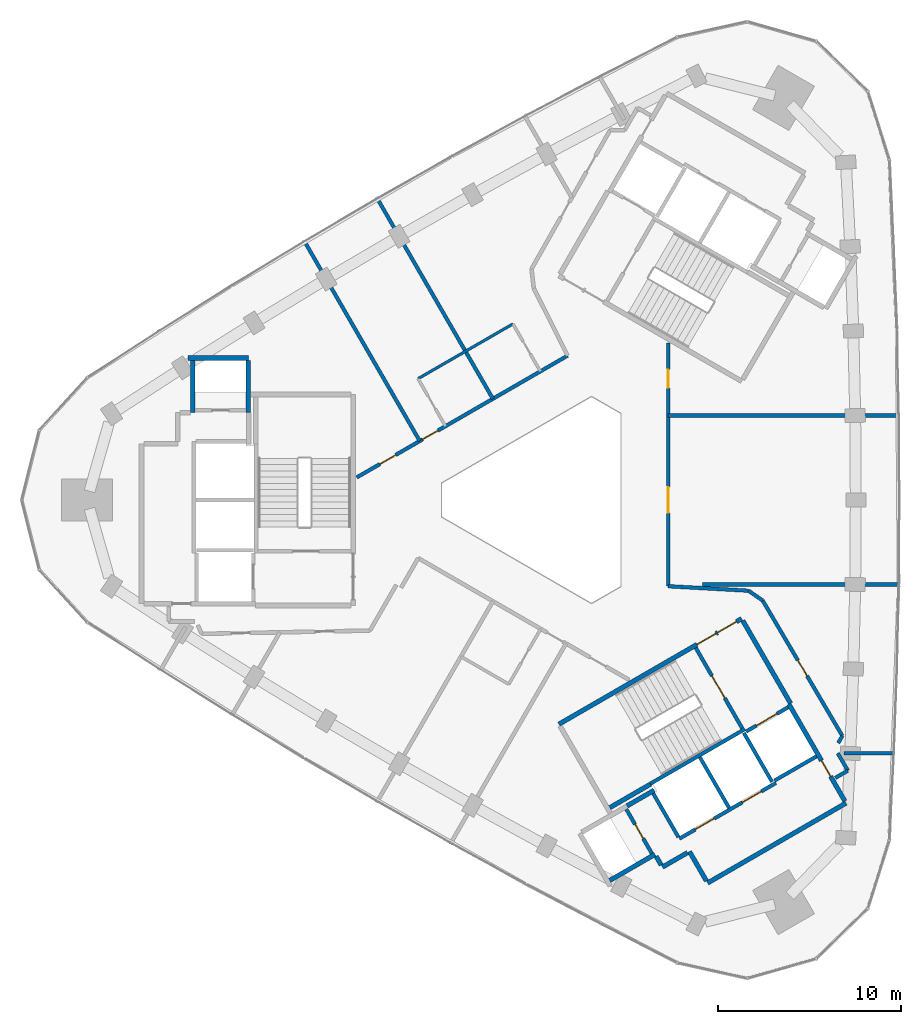
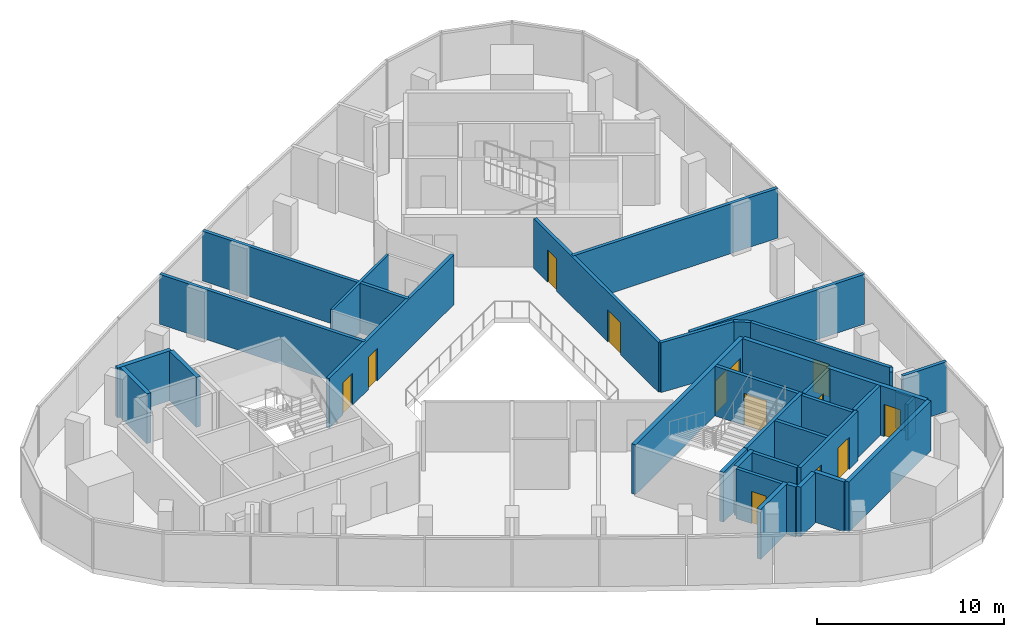
# One storey, part 8 of 11: 36 walls, 13 doors, 13 openings.
"""IFC4 building model written with IfcOpenShell, lengths in metres."""

from ifc_helpers import new_model, si_unit, direction, frame, frame_2d, origin, place, context, subcontext, project, spatial, rectangle, extrude, material, layer, layer_set, type_object, element, fill, save


model = new_model("IFC4")

# Units and contexts
model_context = context("Model", 3, precision=1e-05, world=origin(), true_north=direction((0.0, 1.0)))
body_context = subcontext(model_context, "Body", "Model", "MODEL_VIEW")
ifc_project = project(units=[si_unit("LENGTHUNIT", "METRE"), si_unit("AREAUNIT", "SQUARE_METRE"), si_unit("VOLUMEUNIT", "CUBIC_METRE"), si_unit("PLANEANGLEUNIT", "RADIAN"), si_unit("MASSUNIT", "GRAM", prefix="KILO")], contexts=[model_context])

# Site, building, storey
site_placement = place(None, origin())
site = spatial("IfcSite", under=ifc_project, at=site_placement, CompositionType="ELEMENT")
building_placement = place(site_placement, origin())
building = spatial("IfcBuilding", under=site, at=building_placement, Name="Tamra Quay Hotel Tower", CompositionType="ELEMENT")
storey_placement = place(building_placement, frame((0.0, 0.0, 246.60009765625)))
storey = spatial("IfcBuildingStorey", under=building, at=storey_placement, Name="L62", CompositionType="ELEMENT", Elevation=246.60009765625)

# Wall
ifc_material_1 = material(Name="Concrete M70", Category="concrete")
ifc_layer_1 = layer(ifc_material_1, 0.199951171875)
ifc_layer_set_1 = layer_set([ifc_layer_1], Name="Concrete M70 core wall 200")
wall_type_1 = type_object("IfcWallType", Name="Concrete M70 core wall 200", PredefinedType="SHEAR", material=ifc_layer_set_1)
wall_1_placement = place(storey_placement, frame((5.4189453125, -15.533935546875, 0.0), z_axis=(0.0, 0.0, 1.0), x_axis=(0.866029065029, 0.499993658486, 0.0)))
element("IfcWall", 1, at=wall_1_placement, inside=storey, type_object=wall_type_1, Name="CW2", PredefinedType="SHEAR", context=body_context, shape_type="SweptSolid", body=[
    extrude(rectangle(XDim=5.97412109375, YDim=0.199951171875, at=frame_2d((2.987060546875, 0.0))), origin(), (0.0, 0.0, 1.0), 3.25),
])

# Wall, openings, doors
wall_2_placement = place(storey_placement, frame((7.009765625, -18.54150390625, 0.0), z_axis=(0.0, 0.0, 1.0), x_axis=(0.866030299012, 0.499991521122, 0.0)))
wall_2 = element("IfcWall", 2, at=wall_2_placement, inside=storey, type_object=wall_type_1, Name="CW2", PredefinedType="SHEAR", context=body_context, shape_type="SweptSolid", body=[
    extrude(rectangle(XDim=6.10009765625, YDim=0.199951171875, at=frame_2d((3.050048828125, 0.0))), origin(), (0.0, 0.0, 1.0), 3.25),
])
opening_1_placement = place(wall_2_placement, frame((1.0, 0.0, 0.0)))
opening_1 = element("IfcOpeningElement", 3, at=opening_1_placement, cuts=wall_2, Name="Opening LD", PredefinedType="OPENING", context=body_context, shape_type="SweptSolid", body=[
    extrude(rectangle(XDim=1.199951171875, YDim=2.10009765625, at=frame_2d((0.60009765625, 1.050048828125))), frame((0.0, 0.10986328125, 0.0), z_axis=(0.0, -1.0, 0.0), x_axis=(1.0, 0.0, 0.0)), (0.0, 0.0, 1.0), 0.219970703125),
])
opening_2_placement = place(wall_2_placement, frame((3.982177734375, 0.0, 0.0)))
opening_2 = element("IfcOpeningElement", 4, at=opening_2_placement, cuts=wall_2, Name="Opening LD", PredefinedType="OPENING", context=body_context, shape_type="SweptSolid", body=[
    extrude(rectangle(XDim=1.199951171875, YDim=2.10009765625, at=frame_2d((0.60009765625, 1.050048828125))), frame((0.0, 0.10986328125, 0.0), z_axis=(0.0, -1.0, 0.0), x_axis=(1.0, 0.0, 0.0)), (0.0, 0.0, 1.0), 0.219970703125),
])
ifc_material_2 = material(Name="Landing door LD 1200 double door sliding")
door_type_1 = type_object("IfcDoorType", Name="Landing door LD 1200 double door sliding", OperationType="DOUBLE_DOOR_SLIDING", PredefinedType="DOOR", material=ifc_material_2)
door_1_placement = place(opening_1_placement, origin())
door_1 = element("IfcDoor", 5, at=door_1_placement, inside=storey, type_object=door_type_1, Name="LD", OperationType="DOUBLE_DOOR_SLIDING", OverallHeight=2.10009765625, OverallWidth=1.199951171875, PredefinedType="DOOR", context=body_context, shape_type="SweptSolid", body=[
    extrude(rectangle(XDim=1.199951171875, YDim=2.10009765625, at=frame_2d((0.60009765625, 1.050048828125))), frame((0.0, 0.02490234375, 0.0), z_axis=(0.0, -1.0, 0.0), x_axis=(1.0, 0.0, 0.0)), (0.0, 0.0, 1.0), 0.050048828125),
])
fill(opening_1, door_1)
door_2_placement = place(opening_2_placement, origin())
door_2 = element("IfcDoor", 6, at=door_2_placement, inside=storey, type_object=door_type_1, Name="LD", OperationType="DOUBLE_DOOR_SLIDING", OverallHeight=2.10009765625, OverallWidth=1.199951171875, PredefinedType="DOOR", context=body_context, shape_type="SweptSolid", body=[
    extrude(rectangle(XDim=1.199951171875, YDim=2.10009765625, at=frame_2d((0.60009765625, 1.050048828125))), frame((0.0, 0.02490234375, 0.0), z_axis=(0.0, -1.0, 0.0), x_axis=(1.0, 0.0, 0.0)), (0.0, 0.0, 1.0), 0.050048828125),
])
fill(opening_2, door_2)

# Wall, opening, door
wall_3_placement = place(storey_placement, frame((7.906494140625, -8.094482421875, 0.0), z_axis=(0.0, 0.0, 1.0), x_axis=(0.500027839223, -0.866009330205, 0.0)))
wall_3 = element("IfcWall", 7, at=wall_3_placement, inside=storey, type_object=wall_type_1, Name="CW2", PredefinedType="SHEAR", context=body_context, shape_type="SweptSolid", body=[
    extrude(rectangle(XDim=5.097900390625, YDim=0.199951171875, at=frame_2d((2.548828125, 0.0))), origin(), (0.0, 0.0, 1.0), 3.25),
])
opening_3_placement = place(wall_3_placement, frame((1.77392578125, 0.0, 0.0)))
opening_3 = element("IfcOpeningElement", 8, at=opening_3_placement, cuts=wall_3, Name="Opening FD2", PredefinedType="OPENING", context=body_context, shape_type="SweptSolid", body=[
    extrude(rectangle(XDim=1.39990234375, YDim=2.10009765625, at=frame_2d((0.699951171875, 1.050048828125))), frame((0.0, 0.10986328125, 0.0), z_axis=(0.0, -1.0, 0.0), x_axis=(1.0, 0.0, 0.0)), (0.0, 0.0, 1.0), 0.219970703125),
])
ifc_material_3 = material(Name="Core door FD2 1400x2100 RH")
door_type_2 = type_object("IfcDoorType", Name="Core door FD2 1400x2100 RH", OperationType="NOTDEFINED", PredefinedType="DOOR", material=ifc_material_3)
door_3_placement = place(opening_3_placement, origin())
door_3 = element("IfcDoor", 9, at=door_3_placement, inside=storey, type_object=door_type_2, Name="FD2", OperationType="SINGLE_SWING_RIGHT", OverallHeight=2.10009765625, OverallWidth=1.39990234375, PredefinedType="DOOR", context=body_context, shape_type="SweptSolid", body=[
    extrude(rectangle(XDim=1.39990234375, YDim=2.10009765625, at=frame_2d((0.699951171875, 1.050048828125))), frame((0.0, 0.02490234375, 0.0), z_axis=(0.0, -1.0, 0.0), x_axis=(1.0, 0.0, 0.0)), (0.0, 0.0, 1.0), 0.050048828125),
])
fill(opening_3, door_3)

# Wall
wall_4_placement = place(storey_placement, frame((8.131591796875, -14.084228515625, 0.0), z_axis=(0.0, 0.0, 1.0), x_axis=(0.499997778408, -0.866026686418, 0.0)))
element("IfcWall", 10, at=wall_4_placement, inside=storey, type_object=wall_type_1, Name="CW2", PredefinedType="SHEAR", context=body_context, shape_type="SweptSolid", body=[
    extrude(rectangle(XDim=3.1982421875, YDim=0.199951171875, at=frame_2d((1.59912109375, 0.0))), origin(), (0.0, 0.0, 1.0), 3.25),
])

# Wall, opening, door
wall_5_placement = place(storey_placement, frame((5.50341796875, -19.352294921875, 0.0), z_axis=(0.0, 0.0, 1.0), x_axis=(-0.499986818241, 0.866033014143, 0.0)))
wall_5 = element("IfcWall", 11, at=wall_5_placement, inside=storey, type_object=wall_type_1, Name="CW2", PredefinedType="SHEAR", context=body_context, shape_type="SweptSolid", body=[
    extrude(rectangle(XDim=2.7978515625, YDim=0.199951171875, at=frame_2d((1.39892578125, 0.0))), origin(), (0.0, 0.0, 1.0), 3.25),
])
opening_4_placement = place(wall_5_placement, frame((0.948974609375, 0.0, 0.0)))
opening_4 = element("IfcOpeningElement", 12, at=opening_4_placement, cuts=wall_5, Name="Opening D1", PredefinedType="OPENING", context=body_context, shape_type="SweptSolid", body=[
    extrude(rectangle(XDim=0.89990234375, YDim=2.10009765625, at=frame_2d((0.449951171875, 1.050048828125))), frame((0.0, 0.10986328125, 0.0), z_axis=(0.0, -1.0, 0.0), x_axis=(1.0, 0.0, 0.0)), (0.0, 0.0, 1.0), 0.219970703125),
])
ifc_material_4 = material(Name="Core door D1 900x2100 LH")
door_type_3 = type_object("IfcDoorType", Name="Core door D1 900x2100 LH", OperationType="NOTDEFINED", PredefinedType="DOOR", material=ifc_material_4)
door_4_placement = place(opening_4_placement, origin())
door_4 = element("IfcDoor", 13, at=door_4_placement, inside=storey, type_object=door_type_3, Name="D1", OperationType="SINGLE_SWING_LEFT", OverallHeight=2.10009765625, OverallWidth=0.89990234375, PredefinedType="DOOR", context=body_context, shape_type="SweptSolid", body=[
    extrude(rectangle(XDim=0.89990234375, YDim=2.10009765625, at=frame_2d((0.449951171875, 1.050048828125))), frame((0.0, 0.02490234375, 0.0), z_axis=(0.0, -1.0, 0.0), x_axis=(1.0, 0.0, 0.0)), (0.0, 0.0, 1.0), 0.050048828125),
])
fill(opening_4, door_4)

# Walls
wall_6_placement = place(storey_placement, frame((6.959716796875, -18.455078125, 0.0), z_axis=(0.0, 0.0, 1.0), x_axis=(-0.499926705758, 0.866067716099, 0.0)))
element("IfcWall", 14, at=wall_6_placement, inside=storey, type_object=wall_type_1, Name="CW2", PredefinedType="SHEAR", context=body_context, shape_type="SweptSolid", body=[
    extrude(rectangle(XDim=2.75927734375, YDim=0.199951171875, at=frame_2d((1.379638671875, 0.0))), origin(), (0.0, 0.0, 1.0), 3.25),
])
wall_7_placement = place(storey_placement, frame((12.087646484375, -15.4365234375, 0.0), z_axis=(0.0, 0.0, 1.0), x_axis=(-0.500026960575, 0.86600983753, 0.0)))
element("IfcWall", 15, at=wall_7_placement, inside=storey, type_object=wall_type_1, Name="CW2", PredefinedType="SHEAR", context=body_context, shape_type="SweptSolid", body=[
    extrude(rectangle(XDim=3.099853515625, YDim=0.199951171875, at=frame_2d((1.5498046875, 0.0))), origin(), (0.0, 0.0, 1.0), 3.25),
])

# Wall, opening, door
wall_8_placement = place(storey_placement, frame((10.666015625, -12.677734375, 0.0), z_axis=(0.0, 0.0, 1.0), x_axis=(0.866018407898, 0.500012117035, 0.0)))
wall_8 = element("IfcWall", 16, at=wall_8_placement, inside=storey, type_object=wall_type_1, Name="CW2", PredefinedType="SHEAR", context=body_context, shape_type="SweptSolid", body=[
    extrude(rectangle(XDim=2.65087890625, YDim=0.199951171875, at=frame_2d((1.325439453125, 0.0))), origin(), (0.0, 0.0, 1.0), 3.25),
])
opening_5_placement = place(wall_8_placement, frame((0.65185546875, 0.0, 0.0)))
opening_5 = element("IfcOpeningElement", 17, at=opening_5_placement, cuts=wall_8, Name="Opening LD", PredefinedType="OPENING", context=body_context, shape_type="SweptSolid", body=[
    extrude(rectangle(XDim=1.300048828125, YDim=2.10009765625, at=frame_2d((0.64990234375, 1.050048828125))), frame((0.0, 0.10986328125, 0.0), z_axis=(0.0, -1.0, 0.0), x_axis=(1.0, 0.0, 0.0)), (0.0, 0.0, 1.0), 0.219970703125),
])
ifc_material_5 = material(Name="Landing door LD 1300 sliding to right")
door_type_4 = type_object("IfcDoorType", Name="Landing door LD 1300 sliding to right", OperationType="NOTDEFINED", PredefinedType="DOOR", material=ifc_material_5)
door_5_placement = place(opening_5_placement, origin())
door_5 = element("IfcDoor", 18, at=door_5_placement, inside=storey, type_object=door_type_4, Name="LD", OperationType="SLIDING_TO_RIGHT", OverallHeight=2.10009765625, OverallWidth=1.300048828125, PredefinedType="DOOR", context=body_context, shape_type="SweptSolid", body=[
    extrude(rectangle(XDim=1.300048828125, YDim=2.10009765625, at=frame_2d((0.64990234375, 1.050048828125))), frame((0.0, 0.02490234375, 0.0), z_axis=(0.0, -1.0, 0.0), x_axis=(1.0, 0.0, 0.0)), (0.0, 0.0, 1.0), 0.050048828125),
])
fill(opening_5, door_5)

# Walls
wall_9_placement = place(storey_placement, frame((14.51171875, -14.037109375, 0.0), z_axis=(0.0, 0.0, 1.0), x_axis=(-0.866018407898, -0.500012117035, 0.0)))
element("IfcWall", 19, at=wall_9_placement, inside=storey, type_object=wall_type_1, Name="CW2", PredefinedType="SHEAR", context=body_context, shape_type="SweptSolid", body=[
    extrude(rectangle(XDim=2.65087890625, YDim=0.199951171875, at=frame_2d((1.325439453125, 0.0))), origin(), (0.0, 0.0, 1.0), 3.25),
])
ifc_layer_2 = layer(ifc_material_1, 0.25)
ifc_layer_set_2 = layer_set([ifc_layer_2], Name="Concrete M70 core wall 250")
wall_type_2 = type_object("IfcWallType", Name="Concrete M70 core wall 250", PredefinedType="SHEAR", material=ifc_layer_set_2)
wall_10_placement = place(storey_placement, frame((-19.900390625, 7.77490234375, 0.0), z_axis=(0.0, 0.0, 1.0), x_axis=(1.0, 0.0, 0.0)))
element("IfcWall", 20, at=wall_10_placement, inside=storey, type_object=wall_type_2, Name="CW1", PredefinedType="SHEAR", context=body_context, shape_type="SweptSolid", body=[
    extrude(rectangle(XDim=3.31298828125, YDim=0.25, at=frame_2d((1.656494140625, 0.0))), origin(), (0.0, 0.0, 1.0), 3.25),
])
for number, where, z_axis, x_axis, name in (
    (21, (-16.58740234375, 7.649658203125, 0.0), (0.0, 0.0, 1.0), (0.0, -1.0, 0.0), "CW1"),
    (22, (-19.63720703125, 4.784912109375, 0.0), (0.0, 0.0, 1.0), (0.0, 1.0, 0.0), "CW1"),
):
    element("IfcWall", number, at=place(storey_placement, frame(where, z_axis=z_axis, x_axis=x_axis)), inside=storey, type_object=wall_type_2, Name=name, PredefinedType="SHEAR", context=body_context, shape_type="SweptSolid", body=[
        extrude(rectangle(XDim=2.86474609375, YDim=0.25, at=frame_2d((1.432373046875, 0.0))), origin(), (0.0, 0.0, 1.0), 3.25),
    ])

# Wall, openings, doors
wall_11_placement = place(storey_placement, frame((0.417236328125, -12.27294921875, 0.0), z_axis=(0.0, 0.0, 1.0), x_axis=(0.866021906294, 0.500006057782, 0.0)))
wall_11 = element("IfcWall", 23, at=wall_11_placement, inside=storey, type_object=wall_type_2, Name="CW1", PredefinedType="SHEAR", context=body_context, shape_type="SweptSolid", body=[
    extrude(rectangle(XDim=11.550048828125, YDim=0.25, at=frame_2d((5.77490234375, 0.0))), origin(), (0.0, 0.0, 1.0), 3.25),
])
opening_6_placement = place(wall_11_placement, frame((10.024658203125, 0.0, 0.0)))
opening_6 = element("IfcOpeningElement", 24, at=opening_6_placement, cuts=wall_11, Name="Opening FD1", PredefinedType="OPENING", context=body_context, shape_type="SweptSolid", body=[
    extrude(rectangle(XDim=1.199951171875, YDim=2.10009765625, at=frame_2d((0.60009765625, 1.050048828125))), frame((0.0, 0.135009765625, 0.0), z_axis=(0.0, -1.0, 0.0), x_axis=(1.0, 0.0, 0.0)), (0.0, 0.0, 1.0), 0.27001953125),
])
opening_7_placement = place(wall_11_placement, frame((8.724609375, 0.0, 0.0)))
opening_7 = element("IfcOpeningElement", 25, at=opening_7_placement, cuts=wall_11, Name="Opening FD1", PredefinedType="OPENING", context=body_context, shape_type="SweptSolid", body=[
    extrude(rectangle(XDim=1.199951171875, YDim=2.10009765625, at=frame_2d((0.60009765625, 1.050048828125))), frame((0.0, 0.135009765625, 0.0), z_axis=(0.0, -1.0, 0.0), x_axis=(1.0, 0.0, 0.0)), (0.0, 0.0, 1.0), 0.27001953125),
])
ifc_material_6 = material(Name="Core door FD1 1200x2100 LH")
door_type_5 = type_object("IfcDoorType", Name="Core door FD1 1200x2100 LH", OperationType="NOTDEFINED", PredefinedType="DOOR", material=ifc_material_6)
door_6_placement = place(opening_6_placement, origin())
door_6 = element("IfcDoor", 26, at=door_6_placement, inside=storey, type_object=door_type_5, Name="FD1", OperationType="SINGLE_SWING_LEFT", OverallHeight=2.10009765625, OverallWidth=1.199951171875, PredefinedType="DOOR", context=body_context, shape_type="SweptSolid", body=[
    extrude(rectangle(XDim=1.199951171875, YDim=2.10009765625, at=frame_2d((0.60009765625, 1.050048828125))), frame((0.0, 0.02490234375, 0.0), z_axis=(0.0, -1.0, 0.0), x_axis=(1.0, 0.0, 0.0)), (0.0, 0.0, 1.0), 0.050048828125),
])
fill(opening_6, door_6)
ifc_material_7 = material(Name="Core door FD1 1200x2100 RH")
door_type_6 = type_object("IfcDoorType", Name="Core door FD1 1200x2100 RH", OperationType="NOTDEFINED", PredefinedType="DOOR", material=ifc_material_7)
door_7_placement = place(opening_7_placement, origin())
door_7 = element("IfcDoor", 27, at=door_7_placement, inside=storey, type_object=door_type_6, Name="FD1", OperationType="SINGLE_SWING_RIGHT", OverallHeight=2.10009765625, OverallWidth=1.199951171875, PredefinedType="DOOR", context=body_context, shape_type="SweptSolid", body=[
    extrude(rectangle(XDim=1.199951171875, YDim=2.10009765625, at=frame_2d((0.60009765625, 1.050048828125))), frame((0.0, 0.02490234375, 0.0), z_axis=(0.0, -1.0, 0.0), x_axis=(1.0, 0.0, 0.0)), (0.0, 0.0, 1.0), 0.050048828125),
])
fill(opening_7, door_7)

# Wall
wall_12_placement = place(storey_placement, frame((16.13330078125, -16.59375, 0.0), z_axis=(0.0, 0.0, 1.0), x_axis=(-0.866022959057, -0.500004234368, 0.0)))
element("IfcWall", 28, at=wall_12_placement, inside=storey, type_object=wall_type_2, Name="CW1", PredefinedType="SHEAR", context=body_context, shape_type="SweptSolid", body=[
    extrude(rectangle(XDim=8.75, YDim=0.25, at=frame_2d((4.375, 0.0))), origin(), (0.0, 0.0, 1.0), 3.25),
])

# Wall, opening, door
wall_13_placement = place(storey_placement, frame((13.00830078125, -11.18115234375, 0.0), z_axis=(0.0, 0.0, 1.0), x_axis=(0.500001955336, -0.866024274868, 0.0)))
wall_13 = element("IfcWall", 29, at=wall_13_placement, inside=storey, type_object=wall_type_2, Name="CW1", PredefinedType="SHEAR", context=body_context, shape_type="SweptSolid", body=[
    extrude(rectangle(XDim=6.12451171875, YDim=0.25, at=frame_2d((3.062255859375, 0.0))), origin(), (0.0, 0.0, 1.0), 3.25),
])
opening_8_placement = place(wall_13_placement, frame((3.562744140625, 0.0, 0.0)))
opening_8 = element("IfcOpeningElement", 30, at=opening_8_placement, cuts=wall_13, Name="Opening FD3", PredefinedType="OPENING", context=body_context, shape_type="SweptSolid", body=[
    extrude(rectangle(XDim=1.0, YDim=2.10009765625, at=frame_2d((0.5, 1.050048828125))), frame((0.0, 0.135009765625, 0.0), z_axis=(0.0, -1.0, 0.0), x_axis=(1.0, 0.0, 0.0)), (0.0, 0.0, 1.0), 0.27001953125),
])
ifc_material_8 = material(Name="Core door FD3 1000x2100 LH")
door_type_7 = type_object("IfcDoorType", Name="Core door FD3 1000x2100 LH", OperationType="NOTDEFINED", PredefinedType="DOOR", material=ifc_material_8)
door_8_placement = place(opening_8_placement, origin())
door_8 = element("IfcDoor", 31, at=door_8_placement, inside=storey, type_object=door_type_7, Name="FD3", OperationType="SINGLE_SWING_LEFT", OverallHeight=2.10009765625, OverallWidth=1.0, PredefinedType="DOOR", context=body_context, shape_type="SweptSolid", body=[
    extrude(rectangle(XDim=1.0, YDim=2.10009765625, at=frame_2d((0.5, 1.050048828125))), frame((0.0, 0.02490234375, 0.0), z_axis=(0.0, -1.0, 0.0), x_axis=(1.0, 0.0, 0.0)), (0.0, 0.0, 1.0), 0.050048828125),
])
fill(opening_8, door_8)

# Walls
wall_14_placement = place(storey_placement, frame((10.482666015625, -6.6064453125, 0.0), z_axis=(0.0, 0.0, 1.0), x_axis=(0.49999885962, -0.866026062182, 0.0)))
element("IfcWall", 32, at=wall_14_placement, inside=storey, type_object=wall_type_2, Name="CW1", PredefinedType="SHEAR", context=body_context, shape_type="SweptSolid", body=[
    extrude(rectangle(XDim=5.224609375, YDim=0.25, at=frame_2d((2.6123046875, 0.0))), origin(), (0.0, 0.0, 1.0), 3.25),
])
wall_15_placement = place(storey_placement, frame((5.6748046875, -19.39892578125, 0.0), z_axis=(0.0, 0.0, 1.0), x_axis=(-0.866026637627, -0.499997862916, 0.0)))
element("IfcWall", 33, at=wall_15_placement, inside=storey, type_object=wall_type_2, Name="CW1", PredefinedType="SHEAR", context=body_context, shape_type="SweptSolid", body=[
    extrude(rectangle(XDim=2.86474609375, YDim=0.25, at=frame_2d((1.432373046875, 0.0))), origin(), (0.0, 0.0, 1.0), 3.25),
])
wall_16_placement = place(storey_placement, frame((5.4306640625, -15.55615234375, 0.0), z_axis=(0.0, 0.0, 1.0), x_axis=(-0.866022940537, -0.500004266446, 0.0)))
element("IfcWall", 34, at=wall_16_placement, inside=storey, type_object=wall_type_2, Name="CW1", PredefinedType="SHEAR", context=body_context, shape_type="SweptSolid", body=[
    extrude(rectangle(XDim=2.57470703125, YDim=0.25, at=frame_2d((1.287353515625, 0.0))), origin(), (0.0, 0.0, 1.0), 3.25),
])
wall_17_placement = place(storey_placement, frame((8.492919921875, -20.860107421875, 0.0), z_axis=(0.0, 0.0, 1.0), x_axis=(-0.500039802285, 0.866002422705, 0.0)))
element("IfcWall", 35, at=wall_17_placement, inside=storey, type_object=wall_type_2, Name="CW1", PredefinedType="SHEAR", context=body_context, shape_type="SweptSolid", body=[
    extrude(rectangle(XDim=1.864501953125, YDim=0.25, at=frame_2d((0.93212890625, 0.0))), origin(), (0.0, 0.0, 1.0), 3.25),
])
wall_18_placement = place(storey_placement, frame((4.144775390625, -16.748779296875, 0.0), z_axis=(0.0, 0.0, 1.0), x_axis=(0.866038183914, 0.499977863513, 0.0)))
element("IfcWall", 36, at=wall_18_placement, inside=storey, type_object=wall_type_2, Name="CW1", PredefinedType="SHEAR", context=body_context, shape_type="SweptSolid", body=[
    extrude(rectangle(XDim=1.7099609375, YDim=0.25, at=frame_2d((0.85498046875, 0.0))), origin(), (0.0, 0.0, 1.0), 3.25),
])
wall_19_placement = place(storey_placement, frame((7.451904296875, -19.30810546875, 0.0), z_axis=(0.0, 0.0, 1.0), x_axis=(-0.866044474677, -0.49996696679, 0.0)))
element("IfcWall", 37, at=wall_19_placement, inside=storey, type_object=wall_type_2, Name="CW1", PredefinedType="SHEAR", context=body_context, shape_type="SweptSolid", body=[
    extrude(rectangle(XDim=1.58447265625, YDim=0.25, at=frame_2d((0.792236328125, 0.0))), origin(), (0.0, 0.0, 1.0), 3.25),
])
wall_20_placement = place(storey_placement, frame((6.01708984375, -19.99169921875, 0.0), z_axis=(0.0, 0.0, 1.0), x_axis=(-0.500364886717, 0.865814633822, 0.0)))
element("IfcWall", 38, at=wall_20_placement, inside=storey, type_object=wall_type_2, Name="CW1", PredefinedType="SHEAR", context=body_context, shape_type="SweptSolid", body=[
    extrude(rectangle(XDim=0.55908203125, YDim=0.25, at=frame_2d((0.279541015625, 0.0))), origin(), (0.0, 0.0, 1.0), 3.25),
])

# Wall, openings, doors
ifc_material_9 = material(Name="Partition corridor wall")
ifc_layer_3 = layer(ifc_material_9, 0.199951171875)
ifc_layer_set_3 = layer_set([ifc_layer_3], Name="Partition corridor wall")
wall_type_3 = type_object("IfcWallType", Name="Partition corridor wall", PredefinedType="PARTITIONING", material=ifc_layer_set_3)
wall_21_placement = place(storey_placement, frame((-10.65234375, 1.236572265625, 0.0), z_axis=(0.0, 0.0, 1.0), x_axis=(0.865922902183, 0.50017749597, 0.0)))
wall_21 = element("IfcWall", 39, at=wall_21_placement, inside=storey, type_object=wall_type_3, Name="W-C", PredefinedType="PARTITIONING", context=body_context, shape_type="SweptSolid", body=[
    extrude(rectangle(XDim=13.328369140625, YDim=0.199951171875, at=frame_2d((6.6640625, 0.0))), origin(), (0.0, 0.0, 1.0), 3.25),
])
opening_9_placement = place(wall_21_placement, frame((4.1708984375, 0.0, 0.0)))
opening_9 = element("IfcOpeningElement", 40, at=opening_9_placement, cuts=wall_21, Name="Opening L62-D004", PredefinedType="OPENING", context=body_context, shape_type="SweptSolid", body=[
    extrude(rectangle(XDim=0.949951171875, YDim=2.10009765625, at=frame_2d((0.47509765625, 1.050048828125))), frame((0.0, 0.10986328125, 0.0), z_axis=(0.0, -1.0, 0.0), x_axis=(1.0, 0.0, 0.0)), (0.0, 0.0, 1.0), 0.219970703125),
])
opening_10_placement = place(wall_21_placement, frame((1.46337890625, 0.0, 0.0)))
opening_10 = element("IfcOpeningElement", 41, at=opening_10_placement, cuts=wall_21, Name="Opening L62-D006", PredefinedType="OPENING", context=body_context, shape_type="SweptSolid", body=[
    extrude(rectangle(XDim=1.0, YDim=2.10009765625, at=frame_2d((0.5, 1.050048828125))), frame((0.0, 0.10986328125, 0.0), z_axis=(0.0, -1.0, 0.0), x_axis=(1.0, 0.0, 0.0)), (0.0, 0.0, 1.0), 0.219970703125),
])
ifc_material_10 = material(Name="Door guest room 1000x2100")
door_type_8 = type_object("IfcDoorType", Name="Door guest room 1000x2100", OperationType="NOTDEFINED", PredefinedType="DOOR", material=ifc_material_10)
door_9_placement = place(opening_10_placement, origin())
door_9 = element("IfcDoor", 42, at=door_9_placement, inside=storey, type_object=door_type_8, Name="L62-D006", OperationType="SINGLE_SWING_LEFT", OverallHeight=2.10009765625, OverallWidth=1.0, PredefinedType="DOOR", context=body_context, shape_type="SweptSolid", body=[
    extrude(rectangle(XDim=1.0, YDim=2.10009765625, at=frame_2d((0.5, 1.050048828125))), frame((0.0, 0.02490234375, 0.0), z_axis=(0.0, -1.0, 0.0), x_axis=(1.0, 0.0, 0.0)), (0.0, 0.0, 1.0), 0.050048828125),
])
fill(opening_10, door_9)
ifc_material_11 = material(Name="Door guest room 950x2100")
door_type_9 = type_object("IfcDoorType", Name="Door guest room 950x2100", OperationType="NOTDEFINED", PredefinedType="DOOR", material=ifc_material_11)
door_10_placement = place(opening_9_placement, origin())
door_10 = element("IfcDoor", 43, at=door_10_placement, inside=storey, type_object=door_type_9, Name="L62-D004", OperationType="SINGLE_SWING_LEFT", OverallHeight=2.10009765625, OverallWidth=0.949951171875, PredefinedType="DOOR", context=body_context, shape_type="SweptSolid", body=[
    extrude(rectangle(XDim=0.949951171875, YDim=2.10009765625, at=frame_2d((0.47509765625, 1.050048828125))), frame((0.0, 0.02490234375, 0.0), z_axis=(0.0, -1.0, 0.0), x_axis=(1.0, 0.0, 0.0)), (0.0, 0.0, 1.0), 0.050048828125),
])
fill(opening_9, door_10)

wall_22_placement = place(storey_placement, frame((6.39990234375, -4.720947265625, 0.0), z_axis=(0.0, 0.0, 1.0), x_axis=(0.0, 1.0, 0.0)))
wall_22 = element("IfcWall", 44, at=wall_22_placement, inside=storey, type_object=wall_type_3, Name="W-C", PredefinedType="PARTITIONING", context=body_context, shape_type="SweptSolid", body=[
    extrude(rectangle(XDim=13.326171875, YDim=0.199951171875, at=frame_2d((6.6630859375, 0.0))), origin(), (0.0, 0.0, 1.0), 3.25),
])
opening_11_placement = place(wall_22_placement, frame((4.02099609375, 0.0, 0.0)))
opening_11 = element("IfcOpeningElement", 45, at=opening_11_placement, cuts=wall_22, Name="Opening L62-D013", PredefinedType="OPENING", context=body_context, shape_type="SweptSolid", body=[
    extrude(rectangle(XDim=1.39990234375, YDim=2.10009765625, at=frame_2d((0.699951171875, 1.050048828125))), frame((0.0, 0.10986328125, 0.0), z_axis=(0.0, -1.0, 0.0), x_axis=(1.0, 0.0, 0.0)), (0.0, 0.0, 1.0), 0.219970703125),
])
opening_12_placement = place(wall_22_placement, frame((10.864501953125, 0.0, 0.0)))
opening_12 = element("IfcOpeningElement", 46, at=opening_12_placement, cuts=wall_22, Name="Opening L62-D014", PredefinedType="OPENING", context=body_context, shape_type="SweptSolid", body=[
    extrude(rectangle(XDim=1.0, YDim=2.10009765625, at=frame_2d((0.5, 1.050048828125))), frame((0.0, 0.10986328125, 0.0), z_axis=(0.0, -1.0, 0.0), x_axis=(1.0, 0.0, 0.0)), (0.0, 0.0, 1.0), 0.219970703125),
])
ifc_material_12 = material(Name="Door double leaf 1400x2100")
door_type_10 = type_object("IfcDoorType", Name="Door double leaf 1400x2100", OperationType="DOUBLE_DOOR_SINGLE_SWING", PredefinedType="DOOR", material=ifc_material_12)
door_11_placement = place(opening_11_placement, frame((1.39990234375, 0.0, 0.0), z_axis=(0.0, 0.0, 1.0), x_axis=(-1.0, 0.0, 0.0)))
door_11 = element("IfcDoor", 47, at=door_11_placement, inside=storey, type_object=door_type_10, Name="L62-D013", OperationType="DOUBLE_DOOR_SINGLE_SWING", OverallHeight=2.10009765625, OverallWidth=1.39990234375, PredefinedType="DOOR", context=body_context, shape_type="SweptSolid", body=[
    extrude(rectangle(XDim=1.39990234375, YDim=2.10009765625, at=frame_2d((0.699951171875, 1.050048828125))), frame((0.0, 0.02490234375, 0.0), z_axis=(0.0, -1.0, 0.0), x_axis=(1.0, 0.0, 0.0)), (0.0, 0.0, 1.0), 0.050048828125),
])
fill(opening_11, door_11)
door_12_placement = place(opening_12_placement, frame((1.0, 0.0, 0.0), z_axis=(0.0, 0.0, 1.0), x_axis=(-1.0, 0.0, 0.0)))
door_12 = element("IfcDoor", 48, at=door_12_placement, inside=storey, type_object=door_type_8, Name="L62-D014", OperationType="SINGLE_SWING_LEFT", OverallHeight=2.10009765625, OverallWidth=1.0, PredefinedType="DOOR", context=body_context, shape_type="SweptSolid", body=[
    extrude(rectangle(XDim=1.0, YDim=2.10009765625, at=frame_2d((0.5, 1.050048828125))), frame((0.0, 0.02490234375, 0.0), z_axis=(0.0, -1.0, 0.0), x_axis=(1.0, 0.0, 0.0)), (0.0, 0.0, 1.0), 0.050048828125),
])
fill(opening_12, door_12)

# Walls
wall_23_placement = place(storey_placement, frame((6.39990234375, -4.720947265625, 0.0), z_axis=(0.0, 0.0, 1.0), x_axis=(0.998447007366, -0.055709725208, 0.0)))
element("IfcWall", 49, at=wall_23_placement, inside=storey, type_object=wall_type_3, Name="W-C", PredefinedType="PARTITIONING", context=body_context, shape_type="SweptSolid", body=[
    extrude(rectangle(XDim=4.39990234375, YDim=0.199951171875, at=frame_2d((2.199951171875, 0.0))), origin(), (0.0, 0.0, 1.0), 3.25),
])
wall_24_placement = place(storey_placement, frame((10.7939453125, -4.966064453125, 0.0), z_axis=(0.0, 0.0, 1.0), x_axis=(0.822266583859, -0.569102508401, 0.0)))
element("IfcWall", 50, at=wall_24_placement, inside=storey, type_object=wall_type_3, Name="W-C", PredefinedType="PARTITIONING", context=body_context, shape_type="SweptSolid", body=[
    extrude(rectangle(XDim=0.945068359375, YDim=0.199951171875, at=frame_2d((0.47265625, 0.0))), origin(), (0.0, 0.0, 1.0), 3.25),
])

# Wall, opening, door
wall_25_placement = place(storey_placement, frame((11.571044921875, -5.5048828125, 0.0), z_axis=(0.0, 0.0, 1.0), x_axis=(0.507291838928, -0.861774326699, 0.0)))
wall_25 = element("IfcWall", 51, at=wall_25_placement, inside=storey, type_object=wall_type_3, Name="W-C", PredefinedType="PARTITIONING", context=body_context, shape_type="SweptSolid", body=[
    extrude(rectangle(XDim=8.5986328125, YDim=0.199951171875, at=frame_2d((4.29931640625, 0.0))), origin(), (0.0, 0.0, 1.0), 3.25),
])
opening_13_placement = place(wall_25_placement, frame((3.79931640625, 0.0, 0.0)))
opening_13 = element("IfcOpeningElement", 52, at=opening_13_placement, cuts=wall_25, Name="Opening L62-D012", PredefinedType="OPENING", context=body_context, shape_type="SweptSolid", body=[
    extrude(rectangle(XDim=1.0, YDim=2.10009765625, at=frame_2d((0.5, 1.050048828125))), frame((0.0, 0.10986328125, 0.0), z_axis=(0.0, -1.0, 0.0), x_axis=(1.0, 0.0, 0.0)), (0.0, 0.0, 1.0), 0.219970703125),
])
door_13_placement = place(opening_13_placement, origin())
door_13 = element("IfcDoor", 53, at=door_13_placement, inside=storey, type_object=door_type_8, Name="L62-D012", OperationType="SINGLE_SWING_LEFT", OverallHeight=2.10009765625, OverallWidth=1.0, PredefinedType="DOOR", context=body_context, shape_type="SweptSolid", body=[
    extrude(rectangle(XDim=1.0, YDim=2.10009765625, at=frame_2d((0.5, 1.050048828125))), frame((0.0, 0.02490234375, 0.0), z_axis=(0.0, -1.0, 0.0), x_axis=(1.0, 0.0, 0.0)), (0.0, 0.0, 1.0), 0.050048828125),
])
fill(opening_13, door_13)

# Walls
wall_26_placement = place(storey_placement, frame((15.5498046875, -15.213134765625, 0.0), z_axis=(0.0, 0.0, 1.0), x_axis=(0.865989998118, 0.500061319399, 0.0)))
element("IfcWall", 54, at=wall_26_placement, inside=storey, type_object=wall_type_3, Name="W-C", PredefinedType="PARTITIONING", context=body_context, shape_type="SweptSolid", body=[
    extrude(rectangle(XDim=0.7900390625, YDim=0.199951171875, at=frame_2d((0.39501953125, 0.0))), origin(), (0.0, 0.0, 1.0), 2.349853515625),
])
wall_27_placement = place(storey_placement, frame((15.93310546875, -12.9150390625, 0.0), z_axis=(0.0, 0.0, 1.0), x_axis=(-0.502017930819, -0.864857211993, 0.0)))
element("IfcWall", 55, at=wall_27_placement, inside=storey, type_object=wall_type_3, Name="W-C", PredefinedType="PARTITIONING", context=body_context, shape_type="SweptSolid", body=[
    extrude(rectangle(XDim=0.450927734375, YDim=0.199951171875, at=frame_2d((0.2255859375, 0.0))), origin(), (0.0, 0.0, 1.0), 3.25),
])
wall_28_placement = place(storey_placement, frame((15.681884765625, -13.861083984375, 0.0), z_axis=(0.0, 0.0, 1.0), x_axis=(0.499633176362, -0.866237085952, 0.0)))
element("IfcWall", 56, at=wall_28_placement, inside=storey, type_object=wall_type_3, Name="W-C", PredefinedType="PARTITIONING", context=body_context, shape_type="SweptSolid", body=[
    extrude(rectangle(XDim=1.104736328125, YDim=0.199951171875, at=frame_2d((0.55224609375, 0.0))), origin(), (0.0, 0.0, 1.0), 2.349853515625),
])
ifc_material_13 = material(Name="Partition en-suite wall")
ifc_layer_4 = layer(ifc_material_13, 0.14990234375)
ifc_layer_set_4 = layer_set([ifc_layer_4], Name="Partition en-suite wall")
wall_type_4 = type_object("IfcWallType", Name="Partition en-suite wall", PredefinedType="PARTITIONING", material=ifc_layer_set_4)
wall_29_placement = place(storey_placement, frame((-7.2978515625, 6.640869140625, 0.0), z_axis=(0.0, 0.0, 1.0), x_axis=(0.865999837459, 0.50004427956, 0.0)))
element("IfcWall", 57, at=wall_29_placement, inside=storey, type_object=wall_type_4, Name="W-E", PredefinedType="PARTITIONING", context=body_context, shape_type="SweptSolid", body=[
    extrude(rectangle(XDim=5.99755859375, YDim=0.14990234375, at=frame_2d((2.998779296875, 0.0))), origin(), (0.0, 0.0, 1.0), 3.25),
])
ifc_material_14 = material(Name="Partition party wall")
ifc_layer_5 = layer(ifc_material_14, 0.199951171875)
ifc_layer_set_5 = layer_set([ifc_layer_5], Name="Partition party wall")
wall_type_5 = type_object("IfcWallType", Name="Partition party wall", PredefinedType="PARTITIONING", material=ifc_layer_set_5)
wall_30_placement = place(storey_placement, frame((-13.513427734375, 14.156005859375, 0.0), z_axis=(0.0, 0.0, 1.0), x_axis=(0.500012240511, -0.866018336607, 0.0)))
element("IfcWall", 58, at=wall_30_placement, inside=storey, type_object=wall_type_5, Name="W-P", PredefinedType="PARTITIONING", context=body_context, shape_type="SweptSolid", body=[
    extrude(rectangle(XDim=12.616455078125, YDim=0.199951171875, at=frame_2d((6.30810546875, 0.0))), origin(), (0.0, 0.0, 1.0), 3.25),
])
wall_31_placement = place(storey_placement, frame((-9.525390625, 16.497802734375, 0.0), z_axis=(0.0, 0.0, 1.0), x_axis=(0.499979175972, -0.866037426209, 0.0)))
element("IfcWall", 59, at=wall_31_placement, inside=storey, type_object=wall_type_5, Name="W-P", PredefinedType="PARTITIONING", context=body_context, shape_type="SweptSolid", body=[
    extrude(rectangle(XDim=12.64990234375, YDim=0.199951171875, at=frame_2d((6.324951171875, 0.0))), origin(), (0.0, 0.0, 1.0), 3.25),
])
wall_32_placement = place(storey_placement, frame((6.39990234375, 4.625, 0.0), z_axis=(0.0, 0.0, 1.0), x_axis=(1.0, 0.0, 0.0)))
element("IfcWall", 60, at=wall_32_placement, inside=storey, type_object=wall_type_5, Name="W-P", PredefinedType="PARTITIONING", context=body_context, shape_type="SweptSolid", body=[
    extrude(rectangle(XDim=12.6162109375, YDim=0.199951171875, at=frame_2d((6.30810546875, 0.0))), origin(), (0.0, 0.0, 1.0), 3.25),
])
wall_33_placement = place(storey_placement, frame((8.270263671875, -4.625, 0.0), z_axis=(0.0, 0.0, 1.0), x_axis=(1.0, 0.0, 0.0)))
element("IfcWall", 61, at=wall_33_placement, inside=storey, type_object=wall_type_5, Name="W-P", PredefinedType="PARTITIONING", context=body_context, shape_type="SweptSolid", body=[
    extrude(rectangle(XDim=10.745849609375, YDim=0.199951171875, at=frame_2d((5.373046875, 0.0))), origin(), (0.0, 0.0, 1.0), 3.25),
])
wall_34_placement = place(storey_placement, frame((18.74560546875, -13.8720703125, 0.0), z_axis=(0.0, 0.0, 1.0), x_axis=(-1.0, 0.0, 0.0)))
element("IfcWall", 62, at=wall_34_placement, inside=storey, type_object=wall_type_5, Name="W-P", PredefinedType="PARTITIONING", context=body_context, shape_type="SweptSolid", body=[
    extrude(rectangle(XDim=2.71142578125, YDim=0.199951171875, at=frame_2d((1.355712890625, 0.0))), origin(), (0.0, 0.0, 1.0), 3.25),
])

save(model, "model.ifc")
